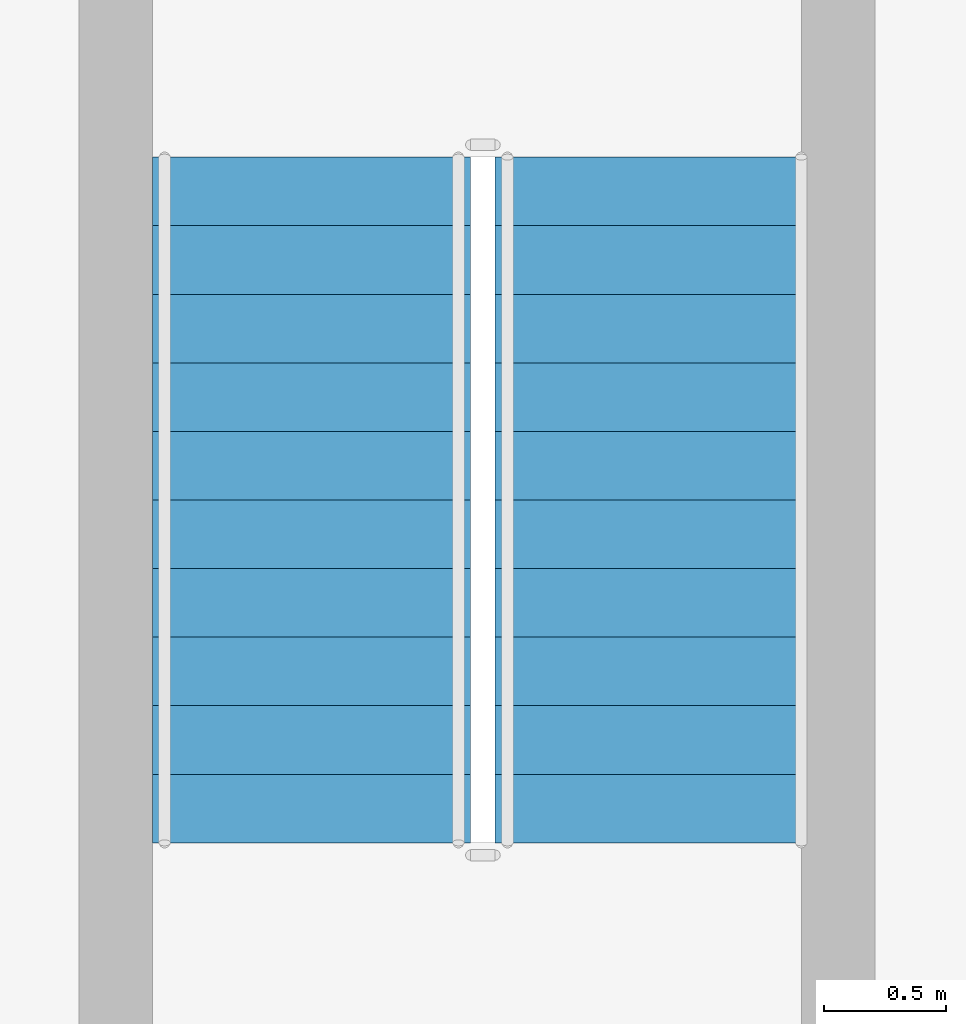
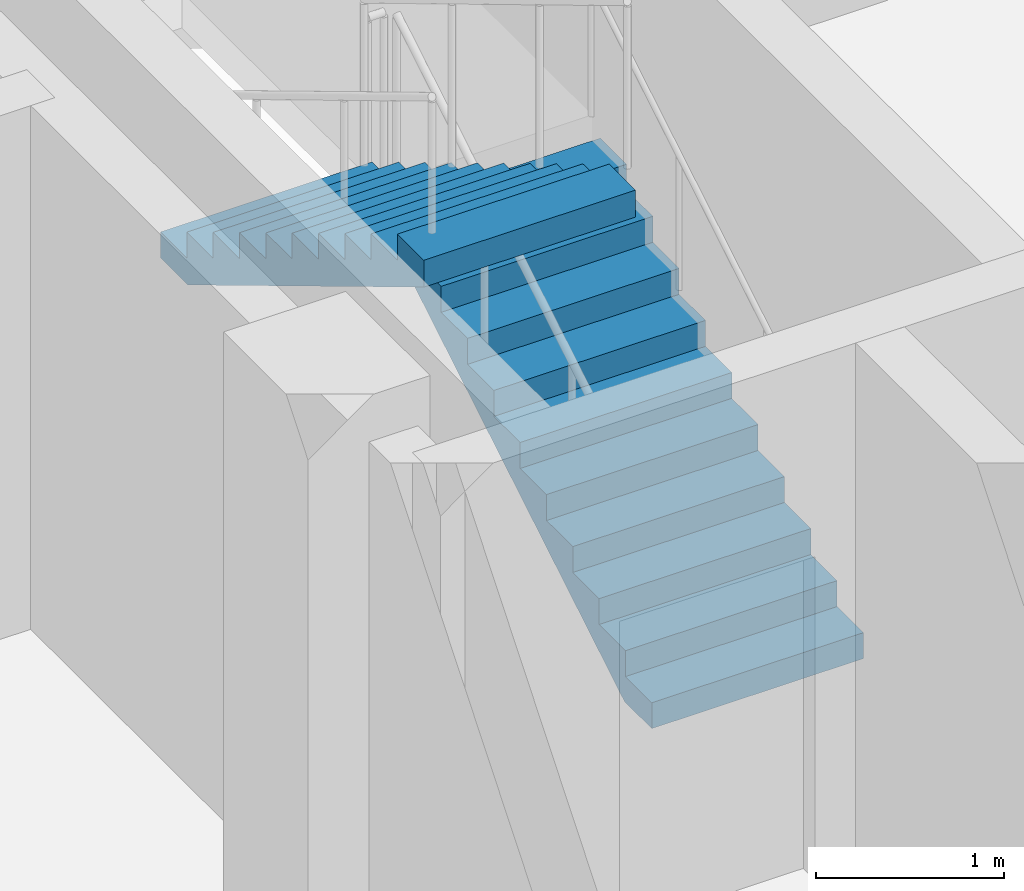
# One storey, part 17 of 27: 2 stair flights, 1 element without a shape of its own.
"""IFC4 building model written with IfcOpenShell, lengths in metres."""

from ifc_helpers import new_model, si_unit, direction, frame, origin, place, context, subcontext, project, spatial, triangles, source, transform, mapped, material, type_object, element, aggregate, save


model = new_model("IFC4")

# Units and contexts
model_context = context("Model", 3, precision=1e-05, world=origin(), true_north=direction((0.0, 1.0)))
body_context = subcontext(model_context, "Body", "Model", "MODEL_VIEW")
ifc_project = project(units=[si_unit("LENGTHUNIT", "METRE"), si_unit("AREAUNIT", "SQUARE_METRE"), si_unit("VOLUMEUNIT", "CUBIC_METRE"), si_unit("PLANEANGLEUNIT", "RADIAN"), si_unit("MASSUNIT", "GRAM", prefix="KILO")], contexts=[model_context])

# Site, building, storey
site_placement = place(None, origin())
site = spatial("IfcSite", under=ifc_project, at=site_placement, CompositionType="ELEMENT")
building_placement = place(site_placement, origin())
building = spatial("IfcBuilding", under=site, at=building_placement, Name="Ogive Portal Towers", CompositionType="ELEMENT")
storey_placement = place(building_placement, frame((0.0, 0.0, 160.699951171875)))
storey = spatial("IfcBuildingStorey", under=building, at=storey_placement, Name="L39", CompositionType="ELEMENT", Elevation=160.699951171875)

# Stair, stair flights
ifc_material = material(Name="Concrete C40/50", Category="concrete")
stair_type = type_object("IfcStairType", Name="INT-STAIR", PredefinedType="HALF_TURN_STAIR", material=ifc_material)
stair_placement = place(storey_placement, origin())
stair = element("IfcStair", 1, at=stair_placement, inside=storey, type_object=stair_type, Name="L39 Exit Stair ST-A3", PredefinedType="HALF_TURN_STAIR")
stair_flight_type = type_object("IfcStairFlightType", Name="INT-FLIGHT", PredefinedType="STRAIGHT", material=ifc_material)
shared_shape = source(origin(), body_context, "Body", "Tessellation", [
    triangles([(0.0, -0.650146484375, 0.0), (0.0, -0.376220703125, 0.0), (0.0, -0.192626953125, 0.0), (0.0, -0.081298828125, 0.0), (0.0, -0.024169921875, 0.0), (0.0, -0.003173828125, 0.0), (0.0, 0.0, 0.0), (0.0, 0.0029296875, 0.0), (0.0, 0.02392578125, 0.0), (0.0, 0.0810546875, 0.0), (0.0, 0.1923828125, 0.0), (0.0, 0.3759765625, 0.0), (0.0, 0.64990234375, 0.0), (0.0, -0.650146484375, 0.168212890625), (0.0, -0.376220703125, 0.168212890625), (0.0, -0.192626953125, 0.168212890625), (0.0, -0.081298828125, 0.168212890625), (0.0, -0.024169921875, 0.168212890625), (0.0, -0.003173828125, 0.168212890625), (0.0, 0.0, 0.168212890625), (0.0, 0.0029296875, 0.168212890625), (0.0, 0.02392578125, 0.168212890625), (0.0, 0.0810546875, 0.168212890625), (0.0, 0.1923828125, 0.168212890625), (0.0, 0.3759765625, 0.168212890625), (0.0, 0.64990234375, 0.168212890625), (0.280029296875, -0.650146484375, 0.168212890625), (0.280029296875, -0.376220703125, 0.168212890625), (0.280029296875, -0.192626953125, 0.168212890625), (0.280029296875, -0.081298828125, 0.168212890625), (0.280029296875, -0.024169921875, 0.168212890625), (0.280029296875, -0.003173828125, 0.168212890625), (0.280029296875, 0.0, 0.168212890625), (0.280029296875, 0.0029296875, 0.168212890625), (0.280029296875, 0.02392578125, 0.168212890625), (0.280029296875, 0.0810546875, 0.168212890625), (0.280029296875, 0.1923828125, 0.168212890625), (0.280029296875, 0.3759765625, 0.168212890625), (0.280029296875, 0.64990234375, 0.168212890625), (0.280029296875, -0.650146484375, 0.33642578125), (0.280029296875, -0.376220703125, 0.33642578125), (0.280029296875, -0.192626953125, 0.33642578125), (0.280029296875, -0.081298828125, 0.33642578125), (0.280029296875, -0.024169921875, 0.33642578125), (0.280029296875, -0.003173828125, 0.33642578125), (0.280029296875, 0.0, 0.33642578125), (0.280029296875, 0.0029296875, 0.33642578125), (0.280029296875, 0.02392578125, 0.33642578125), (0.280029296875, 0.0810546875, 0.33642578125), (0.280029296875, 0.1923828125, 0.33642578125), (0.280029296875, 0.3759765625, 0.33642578125), (0.280029296875, 0.64990234375, 0.33642578125), (0.56005859375, -0.650146484375, 0.33642578125), (0.56005859375, -0.376220703125, 0.33642578125), (0.56005859375, -0.192626953125, 0.33642578125), (0.56005859375, -0.081298828125, 0.33642578125), (0.56005859375, -0.024169921875, 0.33642578125), (0.56005859375, -0.003173828125, 0.33642578125), (0.56005859375, 0.0, 0.33642578125), (0.56005859375, 0.0029296875, 0.33642578125), (0.56005859375, 0.02392578125, 0.33642578125), (0.56005859375, 0.0810546875, 0.33642578125), (0.56005859375, 0.1923828125, 0.33642578125), (0.56005859375, 0.3759765625, 0.33642578125), (0.56005859375, 0.64990234375, 0.33642578125), (0.56005859375, -0.650146484375, 0.504638671875), (0.56005859375, -0.376220703125, 0.504638671875), (0.56005859375, -0.192626953125, 0.504638671875), (0.56005859375, -0.081298828125, 0.504638671875), (0.56005859375, -0.024169921875, 0.504638671875), (0.56005859375, -0.003173828125, 0.504638671875), (0.56005859375, 0.0, 0.504638671875), (0.56005859375, 0.0029296875, 0.504638671875), (0.56005859375, 0.02392578125, 0.504638671875), (0.56005859375, 0.0810546875, 0.504638671875), (0.56005859375, 0.1923828125, 0.504638671875), (0.56005859375, 0.3759765625, 0.504638671875), (0.56005859375, 0.64990234375, 0.504638671875), (0.840087890625, -0.650146484375, 0.504638671875), (0.840087890625, -0.376220703125, 0.504638671875), (0.840087890625, -0.192626953125, 0.504638671875), (0.840087890625, -0.081298828125, 0.504638671875), (0.840087890625, -0.024169921875, 0.504638671875), (0.840087890625, -0.003173828125, 0.504638671875), (0.840087890625, 0.0, 0.504638671875), (0.840087890625, 0.0029296875, 0.504638671875), (0.840087890625, 0.02392578125, 0.504638671875), (0.840087890625, 0.0810546875, 0.504638671875), (0.840087890625, 0.1923828125, 0.504638671875), (0.840087890625, 0.3759765625, 0.504638671875), (0.840087890625, 0.64990234375, 0.504638671875), (0.840087890625, -0.650146484375, 0.672607421875), (0.840087890625, -0.376220703125, 0.672607421875), (0.840087890625, -0.192626953125, 0.672607421875), (0.840087890625, -0.081298828125, 0.672607421875), (0.840087890625, -0.024169921875, 0.672607421875), (0.840087890625, -0.003173828125, 0.672607421875), (0.840087890625, 0.0, 0.672607421875), (0.840087890625, 0.0029296875, 0.672607421875), (0.840087890625, 0.02392578125, 0.672607421875), (0.840087890625, 0.0810546875, 0.672607421875), (0.840087890625, 0.1923828125, 0.672607421875), (0.840087890625, 0.3759765625, 0.672607421875), (0.840087890625, 0.64990234375, 0.672607421875), (1.1201171875, -0.650146484375, 0.672607421875), (1.1201171875, -0.376220703125, 0.672607421875), (1.1201171875, -0.192626953125, 0.672607421875), (1.1201171875, -0.081298828125, 0.672607421875), (1.1201171875, -0.024169921875, 0.672607421875), (1.1201171875, -0.003173828125, 0.672607421875), (1.1201171875, 0.0, 0.672607421875), (1.1201171875, 0.0029296875, 0.672607421875), (1.1201171875, 0.02392578125, 0.672607421875), (1.1201171875, 0.0810546875, 0.672607421875), (1.1201171875, 0.1923828125, 0.672607421875), (1.1201171875, 0.3759765625, 0.672607421875), (1.1201171875, 0.64990234375, 0.672607421875), (1.1201171875, -0.650146484375, 0.8408203125), (1.1201171875, -0.376220703125, 0.8408203125), (1.1201171875, -0.192626953125, 0.8408203125), (1.1201171875, -0.081298828125, 0.8408203125), (1.1201171875, -0.024169921875, 0.8408203125), (1.1201171875, -0.003173828125, 0.8408203125), (1.1201171875, 0.0, 0.8408203125), (1.1201171875, 0.0029296875, 0.8408203125), (1.1201171875, 0.02392578125, 0.8408203125), (1.1201171875, 0.0810546875, 0.8408203125), (1.1201171875, 0.1923828125, 0.8408203125), (1.1201171875, 0.3759765625, 0.8408203125), (1.1201171875, 0.64990234375, 0.8408203125), (1.39990234375, -0.650146484375, 0.8408203125), (1.39990234375, -0.376220703125, 0.8408203125), (1.39990234375, -0.192626953125, 0.8408203125), (1.39990234375, -0.081298828125, 0.8408203125), (1.39990234375, -0.024169921875, 0.8408203125), (1.39990234375, -0.003173828125, 0.8408203125), (1.39990234375, 0.0, 0.8408203125), (1.39990234375, 0.0029296875, 0.8408203125), (1.39990234375, 0.02392578125, 0.8408203125), (1.39990234375, 0.0810546875, 0.8408203125), (1.39990234375, 0.1923828125, 0.8408203125), (1.39990234375, 0.3759765625, 0.8408203125), (1.39990234375, 0.64990234375, 0.8408203125), (1.39990234375, -0.650146484375, 1.009033203125), (1.39990234375, -0.376220703125, 1.009033203125), (1.39990234375, -0.192626953125, 1.009033203125), (1.39990234375, -0.081298828125, 1.009033203125), (1.39990234375, -0.024169921875, 1.009033203125), (1.39990234375, -0.003173828125, 1.009033203125), (1.39990234375, 0.0, 1.009033203125), (1.39990234375, 0.0029296875, 1.009033203125), (1.39990234375, 0.02392578125, 1.009033203125), (1.39990234375, 0.0810546875, 1.009033203125), (1.39990234375, 0.1923828125, 1.009033203125), (1.39990234375, 0.3759765625, 1.009033203125), (1.39990234375, 0.64990234375, 1.009033203125), (1.679931640625, -0.650146484375, 1.009033203125), (1.679931640625, -0.376220703125, 1.009033203125), (1.679931640625, -0.192626953125, 1.009033203125), (1.679931640625, -0.081298828125, 1.009033203125), (1.679931640625, -0.024169921875, 1.009033203125), (1.679931640625, -0.003173828125, 1.009033203125), (1.679931640625, 0.0, 1.009033203125), (1.679931640625, 0.0029296875, 1.009033203125), (1.679931640625, 0.02392578125, 1.009033203125), (1.679931640625, 0.0810546875, 1.009033203125), (1.679931640625, 0.1923828125, 1.009033203125), (1.679931640625, 0.3759765625, 1.009033203125), (1.679931640625, 0.64990234375, 1.009033203125), (1.679931640625, -0.650146484375, 1.17724609375), (1.679931640625, -0.376220703125, 1.17724609375), (1.679931640625, -0.192626953125, 1.17724609375), (1.679931640625, -0.081298828125, 1.17724609375), (1.679931640625, -0.024169921875, 1.17724609375), (1.679931640625, -0.003173828125, 1.17724609375), (1.679931640625, 0.0, 1.17724609375), (1.679931640625, 0.0029296875, 1.17724609375), (1.679931640625, 0.02392578125, 1.17724609375), (1.679931640625, 0.0810546875, 1.17724609375), (1.679931640625, 0.1923828125, 1.17724609375), (1.679931640625, 0.3759765625, 1.17724609375), (1.679931640625, 0.64990234375, 1.17724609375), (1.9599609375, -0.650146484375, 1.17724609375), (1.9599609375, -0.376220703125, 1.17724609375), (1.9599609375, -0.192626953125, 1.17724609375), (1.9599609375, -0.081298828125, 1.17724609375), (1.9599609375, -0.024169921875, 1.17724609375), (1.9599609375, -0.003173828125, 1.17724609375), (1.9599609375, 0.0, 1.17724609375), (1.9599609375, 0.0029296875, 1.17724609375), (1.9599609375, 0.02392578125, 1.17724609375), (1.9599609375, 0.0810546875, 1.17724609375), (1.9599609375, 0.1923828125, 1.17724609375), (1.9599609375, 0.3759765625, 1.17724609375), (1.9599609375, 0.64990234375, 1.17724609375), (1.9599609375, -0.650146484375, 1.345458984375), (1.9599609375, -0.376220703125, 1.345458984375), (1.9599609375, -0.192626953125, 1.345458984375), (1.9599609375, -0.081298828125, 1.345458984375), (1.9599609375, -0.024169921875, 1.345458984375), (1.9599609375, -0.003173828125, 1.345458984375), (1.9599609375, 0.0, 1.345458984375), (1.9599609375, 0.0029296875, 1.345458984375), (1.9599609375, 0.02392578125, 1.345458984375), (1.9599609375, 0.0810546875, 1.345458984375), (1.9599609375, 0.1923828125, 1.345458984375), (1.9599609375, 0.3759765625, 1.345458984375), (1.9599609375, 0.64990234375, 1.345458984375), (2.239990234375, -0.650146484375, 1.345458984375), (2.239990234375, -0.376220703125, 1.345458984375), (2.239990234375, -0.192626953125, 1.345458984375), (2.239990234375, -0.081298828125, 1.345458984375), (2.239990234375, -0.024169921875, 1.345458984375), (2.239990234375, -0.003173828125, 1.345458984375), (2.239990234375, 0.0, 1.345458984375), (2.239990234375, 0.0029296875, 1.345458984375), (2.239990234375, 0.02392578125, 1.345458984375), (2.239990234375, 0.0810546875, 1.345458984375), (2.239990234375, 0.1923828125, 1.345458984375), (2.239990234375, 0.3759765625, 1.345458984375), (2.239990234375, 0.64990234375, 1.345458984375), (2.239990234375, -0.650146484375, 1.513671875), (2.239990234375, -0.376220703125, 1.513671875), (2.239990234375, -0.192626953125, 1.513671875), (2.239990234375, -0.081298828125, 1.513671875), (2.239990234375, -0.024169921875, 1.513671875), (2.239990234375, -0.003173828125, 1.513671875), (2.239990234375, 0.0, 1.513671875), (2.239990234375, 0.0029296875, 1.513671875), (2.239990234375, 0.02392578125, 1.513671875), (2.239990234375, 0.0810546875, 1.513671875), (2.239990234375, 0.1923828125, 1.513671875), (2.239990234375, 0.3759765625, 1.513671875), (2.239990234375, 0.64990234375, 1.513671875), (2.52001953125, -0.650146484375, 1.513671875), (2.52001953125, -0.376220703125, 1.513671875), (2.52001953125, -0.192626953125, 1.513671875), (2.52001953125, -0.081298828125, 1.513671875), (2.52001953125, -0.024169921875, 1.513671875), (2.52001953125, -0.003173828125, 1.513671875), (2.52001953125, 0.0, 1.513671875), (2.52001953125, 0.0029296875, 1.513671875), (2.52001953125, 0.02392578125, 1.513671875), (2.52001953125, 0.0810546875, 1.513671875), (2.52001953125, 0.1923828125, 1.513671875), (2.52001953125, 0.3759765625, 1.513671875), (2.52001953125, 0.64990234375, 1.513671875), (2.52001953125, -0.650146484375, 1.681884765625), (2.52001953125, -0.376220703125, 1.681884765625), (2.52001953125, -0.192626953125, 1.681884765625), (2.52001953125, -0.081298828125, 1.681884765625), (2.52001953125, -0.024169921875, 1.681884765625), (2.52001953125, -0.003173828125, 1.681884765625), (2.52001953125, 0.0, 1.681884765625), (2.52001953125, 0.0029296875, 1.681884765625), (2.52001953125, 0.02392578125, 1.681884765625), (2.52001953125, 0.0810546875, 1.681884765625), (2.52001953125, 0.1923828125, 1.681884765625), (2.52001953125, 0.3759765625, 1.681884765625), (2.52001953125, 0.64990234375, 1.681884765625), (2.800048828125, -0.650146484375, 1.681884765625), (2.800048828125, -0.376220703125, 1.681884765625), (2.800048828125, -0.192626953125, 1.681884765625), (2.800048828125, -0.081298828125, 1.681884765625), (2.800048828125, -0.024169921875, 1.681884765625), (2.800048828125, -0.003173828125, 1.681884765625), (2.800048828125, 0.0, 1.681884765625), (2.800048828125, 0.0029296875, 1.681884765625), (2.800048828125, 0.02392578125, 1.681884765625), (2.800048828125, 0.0810546875, 1.681884765625), (2.800048828125, 0.1923828125, 1.681884765625), (2.800048828125, 0.3759765625, 1.681884765625), (2.800048828125, 0.64990234375, 1.681884765625), (2.800048828125, -0.650146484375, 1.5068359375), (2.800048828125, -0.376220703125, 1.5068359375), (2.800048828125, -0.192626953125, 1.5068359375), (2.800048828125, -0.081298828125, 1.5068359375), (2.800048828125, -0.024169921875, 1.5068359375), (2.800048828125, -0.003173828125, 1.5068359375), (2.800048828125, 0.0, 1.5068359375), (2.800048828125, 0.0029296875, 1.5068359375), (2.800048828125, 0.02392578125, 1.5068359375), (2.800048828125, 0.0810546875, 1.5068359375), (2.800048828125, 0.1923828125, 1.5068359375), (2.800048828125, 0.3759765625, 1.5068359375), (2.800048828125, 0.64990234375, 1.5068359375), (0.291015625, -0.650146484375, 0.0), (0.291015625, -0.376220703125, 0.0), (0.291015625, -0.192626953125, 0.0), (0.291015625, -0.081298828125, 0.0), (0.291015625, -0.024169921875, 0.0), (0.291015625, -0.003173828125, 0.0), (0.291015625, 0.0, 0.0), (0.291015625, 0.0029296875, 0.0), (0.291015625, 0.02392578125, 0.0), (0.291015625, 0.0810546875, 0.0), (0.291015625, 0.1923828125, 0.0), (0.291015625, 0.3759765625, 0.0), (0.291015625, 0.64990234375, 0.0)], [[1, 14, 15], [1, 15, 2], [2, 15, 16], [2, 16, 3], [3, 16, 17], [3, 17, 4], [4, 17, 18], [4, 18, 5], [5, 18, 19], [5, 19, 6], [6, 19, 20], [6, 20, 7], [7, 20, 21], [7, 21, 8], [8, 21, 22], [8, 22, 9], [9, 22, 23], [9, 23, 10], [10, 23, 24], [10, 24, 11], [11, 24, 25], [11, 25, 12], [12, 25, 26], [12, 26, 13], [14, 27, 28], [14, 28, 15], [15, 28, 29], [15, 29, 16], [16, 29, 30], [16, 30, 17], [17, 30, 31], [17, 31, 18], [18, 31, 32], [18, 32, 19], [19, 32, 33], [19, 33, 20], [20, 33, 34], [20, 34, 21], [21, 34, 35], [21, 35, 22], [22, 35, 36], [22, 36, 23], [23, 36, 37], [23, 37, 24], [24, 37, 38], [24, 38, 25], [25, 38, 39], [25, 39, 26], [27, 40, 41], [27, 41, 28], [28, 41, 42], [28, 42, 29], [29, 42, 43], [29, 43, 30], [30, 43, 44], [30, 44, 31], [31, 44, 45], [31, 45, 32], [32, 45, 46], [32, 46, 33], [33, 46, 47], [33, 47, 34], [34, 47, 48], [34, 48, 35], [35, 48, 49], [35, 49, 36], [36, 49, 50], [36, 50, 37], [37, 50, 51], [37, 51, 38], [38, 51, 52], [38, 52, 39], [40, 53, 54], [40, 54, 41], [41, 54, 55], [41, 55, 42], [42, 55, 56], [42, 56, 43], [43, 56, 57], [43, 57, 44], [44, 57, 58], [44, 58, 45], [45, 58, 59], [45, 59, 46], [46, 59, 60], [46, 60, 47], [47, 60, 61], [47, 61, 48], [48, 61, 62], [48, 62, 49], [49, 62, 63], [49, 63, 50], [50, 63, 64], [50, 64, 51], [51, 64, 65], [51, 65, 52], [53, 66, 67], [53, 67, 54], [54, 67, 68], [54, 68, 55], [55, 68, 69], [55, 69, 56], [56, 69, 70], [56, 70, 57], [57, 70, 71], [57, 71, 58], [58, 71, 72], [58, 72, 59], [59, 72, 73], [59, 73, 60], [60, 73, 74], [60, 74, 61], [61, 74, 75], [61, 75, 62], [62, 75, 76], [62, 76, 63], [63, 76, 77], [63, 77, 64], [64, 77, 78], [64, 78, 65], [66, 79, 80], [66, 80, 67], [67, 80, 81], [67, 81, 68], [68, 81, 82], [68, 82, 69], [69, 82, 83], [69, 83, 70], [70, 83, 84], [70, 84, 71], [71, 84, 85], [71, 85, 72], [72, 85, 86], [72, 86, 73], [73, 86, 87], [73, 87, 74], [74, 87, 88], [74, 88, 75], [75, 88, 89], [75, 89, 76], [76, 89, 90], [76, 90, 77], [77, 90, 91], [77, 91, 78], [79, 92, 93], [79, 93, 80], [80, 93, 94], [80, 94, 81], [81, 94, 95], [81, 95, 82], [82, 95, 96], [82, 96, 83], [83, 96, 97], [83, 97, 84], [84, 97, 98], [84, 98, 85], [85, 98, 99], [85, 99, 86], [86, 99, 100], [86, 100, 87], [87, 100, 101], [87, 101, 88], [88, 101, 102], [88, 102, 89], [89, 102, 103], [89, 103, 90], [90, 103, 104], [90, 104, 91], [92, 105, 106], [92, 106, 93], [93, 106, 107], [93, 107, 94], [94, 107, 108], [94, 108, 95], [95, 108, 109], [95, 109, 96], [96, 109, 110], [96, 110, 97], [97, 110, 111], [97, 111, 98], [98, 111, 112], [98, 112, 99], [99, 112, 113], [99, 113, 100], [100, 113, 114], [100, 114, 101], [101, 114, 115], [101, 115, 102], [102, 115, 116], [102, 116, 103], [103, 116, 117], [103, 117, 104], [105, 118, 119], [105, 119, 106], [106, 119, 120], [106, 120, 107], [107, 120, 121], [107, 121, 108], [108, 121, 122], [108, 122, 109], [109, 122, 123], [109, 123, 110], [110, 123, 124], [110, 124, 111], [111, 124, 125], [111, 125, 112], [112, 125, 126], [112, 126, 113], [113, 126, 127], [113, 127, 114], [114, 127, 128], [114, 128, 115], [115, 128, 129], [115, 129, 116], [116, 129, 130], [116, 130, 117], [118, 131, 132], [118, 132, 119], [119, 132, 133], [119, 133, 120], [120, 133, 134], [120, 134, 121], [121, 134, 135], [121, 135, 122], [122, 135, 136], [122, 136, 123], [123, 136, 137], [123, 137, 124], [124, 137, 138], [124, 138, 125], [125, 138, 139], [125, 139, 126], [126, 139, 140], [126, 140, 127], [127, 140, 141], [127, 141, 128], [128, 141, 142], [128, 142, 129], [129, 142, 143], [129, 143, 130], [131, 144, 145], [131, 145, 132], [132, 145, 146], [132, 146, 133], [133, 146, 147], [133, 147, 134], [134, 147, 148], [134, 148, 135], [135, 148, 149], [135, 149, 136], [136, 149, 150], [136, 150, 137], [137, 150, 151], [137, 151, 138], [138, 151, 152], [138, 152, 139], [139, 152, 153], [139, 153, 140], [140, 153, 154], [140, 154, 141], [141, 154, 155], [141, 155, 142], [142, 155, 156], [142, 156, 143], [144, 157, 158], [144, 158, 145], [145, 158, 159], [145, 159, 146], [146, 159, 160], [146, 160, 147], [147, 160, 161], [147, 161, 148], [148, 161, 162], [148, 162, 149], [149, 162, 163], [149, 163, 150], [150, 163, 164], [150, 164, 151], [151, 164, 165], [151, 165, 152], [152, 165, 166], [152, 166, 153], [153, 166, 167], [153, 167, 154], [154, 167, 168], [154, 168, 155], [155, 168, 169], [155, 169, 156], [157, 170, 171], [157, 171, 158], [158, 171, 172], [158, 172, 159], [159, 172, 173], [159, 173, 160], [160, 173, 174], [160, 174, 161], [161, 174, 175], [161, 175, 162], [162, 175, 176], [162, 176, 163], [163, 176, 177], [163, 177, 164], [164, 177, 178], [164, 178, 165], [165, 178, 179], [165, 179, 166], [166, 179, 180], [166, 180, 167], [167, 180, 181], [167, 181, 168], [168, 181, 182], [168, 182, 169], [170, 183, 184], [170, 184, 171], [171, 184, 185], [171, 185, 172], [172, 185, 186], [172, 186, 173], [173, 186, 187], [173, 187, 174], [174, 187, 188], [174, 188, 175], [175, 188, 189], [175, 189, 176], [176, 189, 190], [176, 190, 177], [177, 190, 191], [177, 191, 178], [178, 191, 192], [178, 192, 179], [179, 192, 193], [179, 193, 180], [180, 193, 194], [180, 194, 181], [181, 194, 195], [181, 195, 182], [183, 196, 197], [183, 197, 184], [184, 197, 198], [184, 198, 185], [185, 198, 199], [185, 199, 186], [186, 199, 200], [186, 200, 187], [187, 200, 201], [187, 201, 188], [188, 201, 202], [188, 202, 189], [189, 202, 203], [189, 203, 190], [190, 203, 204], [190, 204, 191], [191, 204, 205], [191, 205, 192], [192, 205, 206], [192, 206, 193], [193, 206, 207], [193, 207, 194], [194, 207, 208], [194, 208, 195], [196, 209, 210], [196, 210, 197], [197, 210, 211], [197, 211, 198], [198, 211, 212], [198, 212, 199], [199, 212, 213], [199, 213, 200], [200, 213, 214], [200, 214, 201], [201, 214, 215], [201, 215, 202], [202, 215, 216], [202, 216, 203], [203, 216, 217], [203, 217, 204], [204, 217, 218], [204, 218, 205], [205, 218, 219], [205, 219, 206], [206, 219, 220], [206, 220, 207], [207, 220, 221], [207, 221, 208], [209, 222, 223], [209, 223, 210], [210, 223, 224], [210, 224, 211], [211, 224, 225], [211, 225, 212], [212, 225, 226], [212, 226, 213], [213, 226, 227], [213, 227, 214], [214, 227, 228], [214, 228, 215], [215, 228, 229], [215, 229, 216], [216, 229, 230], [216, 230, 217], [217, 230, 231], [217, 231, 218], [218, 231, 232], [218, 232, 219], [219, 232, 233], [219, 233, 220], [220, 233, 234], [220, 234, 221], [222, 235, 236], [222, 236, 223], [223, 236, 237], [223, 237, 224], [224, 237, 238], [224, 238, 225], [225, 238, 239], [225, 239, 226], [226, 239, 240], [226, 240, 227], [227, 240, 241], [227, 241, 228], [228, 241, 242], [228, 242, 229], [229, 242, 243], [229, 243, 230], [230, 243, 244], [230, 244, 231], [231, 244, 245], [231, 245, 232], [232, 245, 246], [232, 246, 233], [233, 246, 247], [233, 247, 234], [235, 248, 249], [235, 249, 236], [236, 249, 250], [236, 250, 237], [237, 250, 251], [237, 251, 238], [238, 251, 252], [238, 252, 239], [239, 252, 253], [239, 253, 240], [240, 253, 254], [240, 254, 241], [241, 254, 255], [241, 255, 242], [242, 255, 256], [242, 256, 243], [243, 256, 257], [243, 257, 244], [244, 257, 258], [244, 258, 245], [245, 258, 259], [245, 259, 246], [246, 259, 260], [246, 260, 247], [248, 261, 262], [248, 262, 249], [249, 262, 263], [249, 263, 250], [250, 263, 264], [250, 264, 251], [251, 264, 265], [251, 265, 252], [252, 265, 266], [252, 266, 253], [253, 266, 267], [253, 267, 254], [254, 267, 268], [254, 268, 255], [255, 268, 269], [255, 269, 256], [256, 269, 270], [256, 270, 257], [257, 270, 271], [257, 271, 258], [258, 271, 272], [258, 272, 259], [259, 272, 273], [259, 273, 260], [261, 274, 275], [261, 275, 262], [262, 275, 276], [262, 276, 263], [263, 276, 277], [263, 277, 264], [264, 277, 278], [264, 278, 265], [265, 278, 279], [265, 279, 266], [266, 279, 280], [266, 280, 267], [267, 280, 281], [267, 281, 268], [268, 281, 282], [268, 282, 269], [269, 282, 283], [269, 283, 270], [270, 283, 284], [270, 284, 271], [271, 284, 285], [271, 285, 272], [272, 285, 286], [272, 286, 273], [274, 287, 288], [274, 288, 275], [275, 288, 289], [275, 289, 276], [276, 289, 290], [276, 290, 277], [277, 290, 291], [277, 291, 278], [278, 291, 292], [278, 292, 279], [279, 292, 293], [279, 293, 280], [280, 293, 294], [280, 294, 281], [281, 294, 295], [281, 295, 282], [282, 295, 296], [282, 296, 283], [283, 296, 297], [283, 297, 284], [284, 297, 298], [284, 298, 285], [285, 298, 299], [285, 299, 286], [287, 1, 2], [287, 2, 288], [288, 2, 3], [288, 3, 289], [289, 3, 4], [289, 4, 290], [290, 4, 5], [290, 5, 291], [291, 5, 6], [291, 6, 292], [292, 6, 7], [292, 7, 293], [293, 7, 8], [293, 8, 294], [294, 8, 9], [294, 9, 295], [295, 9, 10], [295, 10, 296], [296, 10, 11], [296, 11, 297], [297, 11, 12], [297, 12, 298], [298, 12, 13], [298, 13, 299], [1, 287, 274], [13, 286, 299], [274, 261, 248], [286, 260, 273], [274, 248, 235], [286, 247, 260], [274, 235, 222], [286, 234, 247], [274, 222, 209], [286, 221, 234], [209, 196, 183], [221, 195, 208], [274, 209, 183], [286, 195, 221], [183, 170, 157], [195, 169, 182], [274, 183, 157], [286, 169, 195], [157, 144, 131], [169, 143, 156], [274, 157, 131], [286, 143, 169], [131, 118, 105], [143, 117, 130], [274, 131, 105], [286, 117, 143], [1, 274, 105], [13, 117, 286], [105, 92, 79], [117, 91, 104], [79, 66, 53], [91, 65, 78], [105, 79, 53], [117, 65, 91], [53, 40, 27], [65, 39, 52], [105, 53, 27], [117, 39, 65], [1, 105, 27], [13, 39, 117], [27, 14, 1], [39, 13, 26]], closed=True),
])
stair_flight_1_placement = place(storey_placement, frame((43.550048828125, 67.199951171875, 0.0), z_axis=(0.0, 0.0, 1.0), x_axis=(0.0, 1.0, 0.0)))
stair_flight_1 = element("IfcStairFlight", 2, at=stair_flight_1_placement, type_object=stair_flight_type, Name="ST-A3 flight 1", NumberOfRisers=11, NumberOfTreads=10, PredefinedType="STRAIGHT", RiserHeight=0.168181818, TreadLength=0.28, context=body_context, shape_type="MappedRepresentation", body=[
    mapped(shared_shape, transform((0.0, 0.0, 0.0), scale=1.0)),
])
stair_flight_2_placement = place(storey_placement, frame((42.14990234375, 70.0, 1.85009765625), z_axis=(0.0, 0.0, 1.0), x_axis=(0.0, -1.0, 0.0)))
stair_flight_2 = element("IfcStairFlight", 3, at=stair_flight_2_placement, type_object=stair_flight_type, Name="ST-A3 flight 2", NumberOfRisers=11, NumberOfTreads=10, PredefinedType="STRAIGHT", RiserHeight=0.168181818, TreadLength=0.28, context=body_context, shape_type="MappedRepresentation", body=[
    mapped(shared_shape, transform((0.0, 0.0, 0.0), scale=1.0)),
])
aggregate(stair, [stair_flight_1, stair_flight_2])

save(model, "model.ifc")
